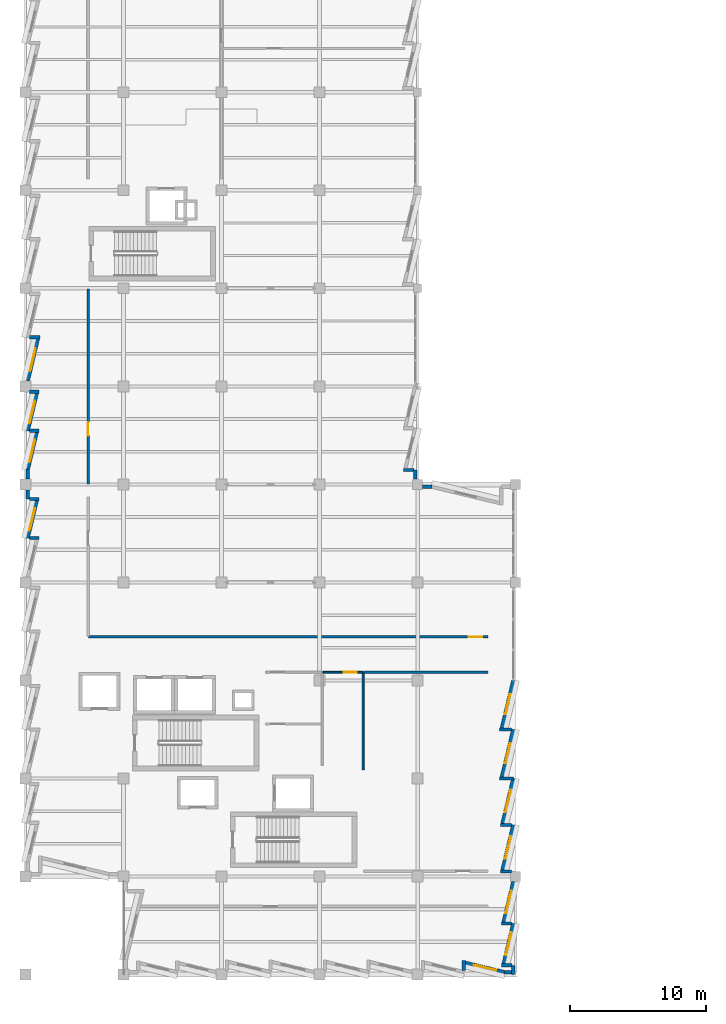
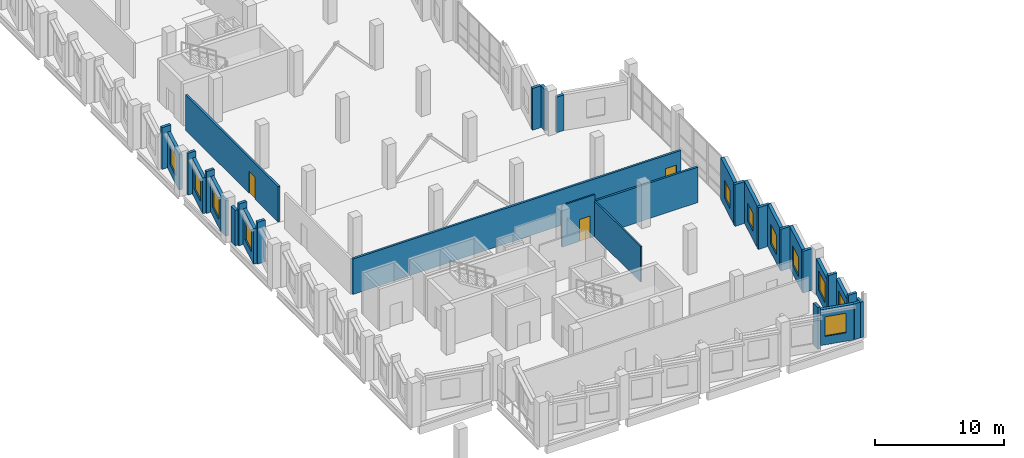
# One storey, part 68 of 94: 35 walls, 11 windows, 3 doors, 14 openings.
"""IFC4 building model written with IfcOpenShell, lengths in metres."""

import ifcopenshell
import ifcopenshell.guid

model = None  # the IFC model being written
_history = None  # IfcOwnerHistory: only IFC2X3 demands one
_inside = {}  # id of a spatial element -> (the spatial element, [elements in it])
_under = {}  # id of a project, library or spatial element -> (it, [spatial elements below it])
_declared = {}  # id of a project -> (the project, [libraries it declares])
_typed = {}  # id of a type object -> (the type object, [elements of that type])
_made_of = {}  # id of a material, layer set ... -> (it, [elements and type objects made of it])


def new_model(schema):
    """Start an empty IFC model of exactly this schema.

    Asked for "IFC4X3", IfcOpenShell would pick the latest addendum, in which some entities
    have other attributes; the version numbers below select the first issue.
    IFC2X3 requires an IfcOwnerHistory on every rooted entity: one is made here for all.
    """
    global model, _history
    if schema == "IFC4X3":
        model = ifcopenshell.file(schema_version=(4, 3, 0, 0))
    else:
        model = ifcopenshell.file(schema=schema)
    _inside.clear()
    _under.clear()
    _declared.clear()
    _typed.clear()
    _made_of.clear()
    _history = None
    if model.schema == "IFC2X3":
        org = make("IfcOrganization", Name="unknown")
        user = make(
            "IfcPersonAndOrganization",
            ThePerson=make("IfcPerson", FamilyName="unknown"),
            TheOrganization=org,
        )
        app = make(
            "IfcApplication",
            ApplicationDeveloper=org,
            Version="unknown",
            ApplicationFullName="unknown",
            ApplicationIdentifier="unknown",
        )
        _history = make(
            "IfcOwnerHistory",
            OwningUser=user,
            OwningApplication=app,
            ChangeAction="ADDED",
            CreationDate=0,
        )
    return model


def make(cls, **values):
    """One entity of the class cls with the attributes given. An attribute that is None is left unset."""
    return model.create_entity(
        cls, **{name: value for name, value in values.items() if value is not None}
    )


def rooted(cls, **values):
    """An entity with a GlobalId (a new one), such as an element, a storey or a relation."""
    return make(cls, GlobalId=ifcopenshell.guid.new(), OwnerHistory=_history, **values)


def si_unit(unit_type, name, prefix=None):
    """IfcSIUnit, for example si_unit("LENGTHUNIT", "METRE", prefix="MILLI")."""
    return make("IfcSIUnit", UnitType=unit_type, Prefix=prefix, Name=name)


def assignment(units):
    """IfcUnitAssignment: the units of a project."""
    return None if units is None else make("IfcUnitAssignment", Units=units)


def point(xyz):
    """IfcCartesianPoint."""
    return None if xyz is None else make("IfcCartesianPoint", Coordinates=xyz)


def direction(xyz):
    """IfcDirection."""
    return None if xyz is None else make("IfcDirection", DirectionRatios=xyz)


def frame(location, z_axis=None, x_axis=None):
    """IfcAxis2Placement3D, a coordinate frame: its origin and axes. An axis left out is left unset."""
    return make(
        "IfcAxis2Placement3D",
        Location=point(location),
        Axis=direction(z_axis),
        RefDirection=direction(x_axis),
    )


def frame_2d(location, x_axis=None):
    """IfcAxis2Placement2D, a coordinate frame in the plane: its origin and x axis."""
    return make(
        "IfcAxis2Placement2D", Location=point(location), RefDirection=direction(x_axis)
    )


def origin():
    """The frame at (0, 0, 0) with its axes left unset."""
    return frame((0.0, 0.0, 0.0))


def place(relative_to, where):
    """IfcLocalPlacement: puts the frame where relative to a parent placement (None: the world)."""
    return make(
        "IfcLocalPlacement", PlacementRelTo=relative_to, RelativePlacement=where
    )


def context(
    kind, dimensions, precision=None, world=None, true_north=None, identifier=None
):
    """IfcGeometricRepresentationContext, for example the 3D "Model" context."""
    return make(
        "IfcGeometricRepresentationContext",
        ContextIdentifier=identifier,
        ContextType=kind,
        CoordinateSpaceDimension=dimensions,
        Precision=precision,
        WorldCoordinateSystem=world,
        TrueNorth=true_north,
    )


def subcontext(parent, identifier, kind, view, scale=None):
    """IfcGeometricRepresentationSubContext, for example "Body" below "Model"."""
    return make(
        "IfcGeometricRepresentationSubContext",
        ContextIdentifier=identifier,
        ContextType=kind,
        ParentContext=parent,
        TargetScale=scale,
        TargetView=view,
    )


def project(units=None, contexts=None):
    """IfcProject with its units and contexts."""
    return rooted(
        "IfcProject",
        Name="project",
        RepresentationContexts=contexts,
        UnitsInContext=assignment(units),
    )


def spatial(cls, under=None, at=None, **own):
    """A site, building, storey or space (cls), placed at a placement, below another one or the project."""
    s = rooted(cls, ObjectPlacement=at, **own)
    if under is not None:
        _under.setdefault(under.id(), (under, []))[1].append(s)
    return s


def profile(cls, at=None, kind="AREA", **sizes):
    """A parametric profile (cls). Its sizes go by their IFC names, for example OverallWidth=200.0."""
    return make(cls, ProfileType=kind, Position=at, **sizes)


def rectangle(**sizes):
    """IfcRectangleProfileDef."""
    return profile("IfcRectangleProfileDef", **sizes)


def extrude(swept, where, along, depth):
    """IfcExtrudedAreaSolid: the profile swept, set in the frame where, extruded along a direction by depth."""
    return make(
        "IfcExtrudedAreaSolid",
        SweptArea=swept,
        Position=where,
        ExtrudedDirection=direction(along),
        Depth=depth,
    )


def shape(context_of_items, identifier, shape_type, items):
    """IfcShapeRepresentation: the items that make up one representation, for example the "Body"."""
    return make(
        "IfcShapeRepresentation",
        ContextOfItems=context_of_items,
        RepresentationIdentifier=identifier,
        RepresentationType=shape_type,
        Items=items,
    )


def material(Name=None, Category=None):
    """IfcMaterial."""
    return make("IfcMaterial", Name=Name, Category=Category)


def layer(
    of_material, thickness, ventilated=None, Name=None, Category=None, Priority=None
):
    """IfcMaterialLayer: one layer of a wall or slab, of a material (None: an air gap)."""
    return make(
        "IfcMaterialLayer",
        Material=of_material,
        LayerThickness=thickness,
        IsVentilated=ventilated,
        Name=Name,
        Category=Category,
        Priority=Priority,
    )


def layer_set(layers, Name=None):
    """IfcMaterialLayerSet."""
    return make("IfcMaterialLayerSet", MaterialLayers=layers, LayerSetName=Name)


def made_of(thing, what):
    """Note that an element or type object is made of a material, layer set ...; save() writes the relation."""
    if what is not None:
        _made_of.setdefault(what.id(), (what, []))[1].append(thing)
    return thing


def type_object(cls, material=None, **own):
    """A type object (cls), such as IfcWallType, which elements share."""
    return made_of(rooted(cls, **own), material)


def element(
    cls,
    number,
    at=None,
    inside=None,
    cuts=None,
    type_object=None,
    material=None,
    context=None,
    identifier="Body",
    shape_type=None,
    held_by="IfcProductDefinitionShape",
    body=None,
    shapes=None,
    **own,
):
    """One element of the class cls, such as IfcWall. Its Tag is "e" and its number.

    at: its placement. inside: the storey or other place that contains it. cuts: it is an
    opening in that element (IfcRelVoidsElement). A single representation is given by context,
    identifier, shape_type and body (its items); several are given by shapes. held_by: the class
    of the entity that holds the representations. save() writes the other relations.
    """
    e = rooted(cls, Tag="e%d" % number, ObjectPlacement=at, **own)
    if body is not None:
        shapes = [shape(context, identifier, shape_type, body)]
    if shapes is not None:
        e.Representation = make(held_by, Representations=shapes)
    if inside is not None:
        _inside.setdefault(inside.id(), (inside, []))[1].append(e)
    if cuts is not None:
        rooted(
            "IfcRelVoidsElement", RelatingBuildingElement=cuts, RelatedOpeningElement=e
        )
    if type_object is not None:
        _typed.setdefault(type_object.id(), (type_object, []))[1].append(e)
    return made_of(e, material)


def fill(opening, filler):
    """IfcRelFillsElement: the door or window that sits in an opening."""
    return rooted(
        "IfcRelFillsElement",
        RelatingOpeningElement=opening,
        RelatedBuildingElement=filler,
    )


def aggregate(whole, parts):
    """IfcRelAggregates: a whole, such as a stair, and the parts it consists of."""
    return rooted("IfcRelAggregates", RelatingObject=whole, RelatedObjects=parts)


def save(model, path):
    """Write the relations noted so far, then the file.

    IfcRelAggregates (storeys below a building ...), IfcRelContainedInSpatialStructure (elements
    in a storey), IfcRelDefinesByType, IfcRelAssociatesMaterial and IfcRelDeclares: one each for
    every whole, place, type object, material and project.
    """
    for whole, parts in _under.values():
        aggregate(whole, parts)
    for where, things in _inside.values():
        rooted(
            "IfcRelContainedInSpatialStructure",
            RelatedElements=things,
            RelatingStructure=where,
        )
    for kind, things in _typed.values():
        rooted("IfcRelDefinesByType", RelatedObjects=things, RelatingType=kind)
    for what, things in _made_of.values():
        rooted("IfcRelAssociatesMaterial", RelatedObjects=things, RelatingMaterial=what)
    for by, libraries in _declared.values():
        rooted("IfcRelDeclares", RelatingContext=by, RelatedDefinitions=libraries)
    model.write(path)


model = new_model("IFC4")

# Units and contexts
model_context = context("Model", 3, precision=1e-05, world=origin(), true_north=direction((0.0, 1.0)))
body_context = subcontext(model_context, "Body", "Model", "MODEL_VIEW")
ifc_project = project(units=[si_unit("LENGTHUNIT", "METRE"), si_unit("AREAUNIT", "SQUARE_METRE"), si_unit("VOLUMEUNIT", "CUBIC_METRE"), si_unit("PLANEANGLEUNIT", "RADIAN"), si_unit("MASSUNIT", "GRAM", prefix="KILO")], contexts=[model_context])

# Site, building, storey
site_placement = place(None, origin())
site = spatial("IfcSite", under=ifc_project, at=site_placement, CompositionType="ELEMENT")
building_placement = place(site_placement, origin())
building = spatial("IfcBuilding", under=site, at=building_placement, Name="Kalmorath City Hall", CompositionType="ELEMENT")
storey_placement = place(building_placement, frame((0.0, 0.0, 14.699951171875)))
storey = spatial("IfcBuildingStorey", under=building, at=storey_placement, Name="L03", CompositionType="ELEMENT", Elevation=14.699951171875)

# Wall, opening, door
ifc_material_1 = material(Name="Fire-rated acoustic gypsum partition")
ifc_layer_1 = layer(ifc_material_1, 0.179931640625)
ifc_layer_set_1 = layer_set([ifc_layer_1], Name="Fire-rated acoustic gypsum partition")
wall_type_1 = type_object("IfcWallType", Name="One-hour corridor fire partition 180", PredefinedType="PARTITIONING", material=ifc_layer_set_1)
wall_1_placement = place(storey_placement, frame((4.60009765625, 36.0400390625, 0.0), z_axis=(0.0, 0.0, 1.0), x_axis=(0.0, 1.0, 0.0)))
wall_1 = element("IfcWall", 1, at=wall_1_placement, inside=storey, type_object=wall_type_1, Name="L03 interior partition PW2 #130", PredefinedType="PARTITIONING", context=body_context, shape_type="SweptSolid", body=[
    extrude(rectangle(XDim=14.320068359375, YDim=0.179931640625, at=frame_2d((7.16015625, 0.0))), origin(), (0.0, 0.0, 1.0), 3.35205078125),
])
opening_1_placement = place(wall_1_placement, frame((3.544921875, 0.0, 0.0)))
opening_1 = element("IfcOpeningElement", 2, at=opening_1_placement, cuts=wall_1, Name="Opening D-L03-223", PredefinedType="OPENING", context=body_context, shape_type="SweptSolid", body=[
    extrude(rectangle(XDim=0.97998046875, YDim=2.10009765625, at=frame_2d((0.489990234375, 1.050048828125))), frame((0.0, 0.099853515625, 0.0), z_axis=(0.0, -1.0, 0.0), x_axis=(1.0, 0.0, 0.0)), (0.0, 0.0, 1.0), 0.199951171875),
])
ifc_material_2 = material(Name="Hardwood veneer door", Category="wood")
door_type_1 = type_object("IfcDoorType", Name="Municipal suite single door 980x2100", OperationType="NOTDEFINED", PredefinedType="DOOR", material=ifc_material_2)
door_1_placement = place(opening_1_placement, origin())
door_1 = element("IfcDoor", 3, at=door_1_placement, inside=storey, type_object=door_type_1, Name="L03 door D-L03-223", OperationType="SINGLE_SWING_LEFT", OverallHeight=2.10009765625, OverallWidth=0.97998046875, PredefinedType="DOOR", context=body_context, shape_type="SweptSolid", body=[
    extrude(rectangle(XDim=0.97998046875, YDim=2.10009765625, at=frame_2d((0.489990234375, 1.050048828125))), frame((0.0, 0.02490234375, 0.0), z_axis=(0.0, -1.0, 0.0), x_axis=(1.0, 0.0, 0.0)), (0.0, 0.0, 1.0), 0.050048828125),
])
fill(opening_1, door_1)

# Wall
wall_2_placement = place(storey_placement, frame((24.840087890625, 22.199951171875, 0.0), z_axis=(0.0, 0.0, 1.0), x_axis=(1.0, 0.0, 0.0)))
element("IfcWall", 4, at=wall_2_placement, inside=storey, type_object=wall_type_1, Name="L03 interior partition PW2 #133", PredefinedType="PARTITIONING", context=body_context, shape_type="SweptSolid", body=[
    extrude(rectangle(XDim=9.119873046875, YDim=0.179931640625, at=frame_2d((4.56005859375, 0.0))), origin(), (0.0, 0.0, 1.0), 3.35205078125),
])

# Wall, opening, door
wall_3_placement = place(storey_placement, frame((4.639892578125, 24.800048828125, 0.0), z_axis=(0.0, 0.0, 1.0), x_axis=(1.0, 0.0, 0.0)))
wall_3 = element("IfcWall", 5, at=wall_3_placement, inside=storey, type_object=wall_type_1, Name="L03 interior partition PW2 #134", PredefinedType="PARTITIONING", context=body_context, shape_type="SweptSolid", body=[
    extrude(rectangle(XDim=29.320068359375, YDim=0.179931640625, at=frame_2d((14.66015625, 0.0))), origin(), (0.0, 0.0, 1.0), 3.35205078125),
])
opening_2_placement = place(wall_3_placement, frame((27.919921875, 0.0, 0.0)))
opening_2 = element("IfcOpeningElement", 6, at=opening_2_placement, cuts=wall_3, Name="Opening D-L03-221", PredefinedType="OPENING", context=body_context, shape_type="SweptSolid", body=[
    extrude(rectangle(XDim=0.97998046875, YDim=2.10009765625, at=frame_2d((0.489990234375, 1.050048828125))), frame((0.0, 0.099853515625, 0.0), z_axis=(0.0, -1.0, 0.0), x_axis=(1.0, 0.0, 0.0)), (0.0, 0.0, 1.0), 0.199951171875),
])
door_2_placement = place(opening_2_placement, origin())
door_2 = element("IfcDoor", 7, at=door_2_placement, inside=storey, type_object=door_type_1, Name="L03 door D-L03-221", OperationType="SINGLE_SWING_LEFT", OverallHeight=2.10009765625, OverallWidth=0.97998046875, PredefinedType="DOOR", context=body_context, shape_type="SweptSolid", body=[
    extrude(rectangle(XDim=0.97998046875, YDim=2.10009765625, at=frame_2d((0.489990234375, 1.050048828125))), frame((0.0, 0.02490234375, 0.0), z_axis=(0.0, -1.0, 0.0), x_axis=(1.0, 0.0, 0.0)), (0.0, 0.0, 1.0), 0.050048828125),
])
fill(opening_2, door_2)

# Walls
ifc_material_3 = material(Name="Precast concrete C40/50", Category="concrete")
ifc_layer_2 = layer(ifc_material_3, 0.239990234375)
ifc_layer_set_2 = layer_set([ifc_layer_2], Name="Precast concrete C40/50")
wall_type_2 = type_object("IfcWallType", Name="Precast sawtooth cheek wall 240", PredefinedType="SOLIDWALL", material=ifc_layer_set_2)
wall_4_placement = place(storey_placement, frame((0.991455078125, 32.06005859375, 0.0), z_axis=(0.0, 0.0, 1.0), x_axis=(-1.0, 0.0, 0.0)))
element("IfcWall", 8, at=wall_4_placement, inside=storey, type_object=wall_type_2, Name="L03 sawtooth return cheek #546", PredefinedType="SOLIDWALL", context=body_context, shape_type="SweptSolid", body=[
    extrude(rectangle(XDim=0.699462890625, YDim=0.239990234375, at=frame_2d((0.349609375, 0.0))), origin(), (0.0, 0.0, 1.0), 3.949951171875),
])
wall_5_placement = place(storey_placement, frame((0.991455078125, 34.9189453125, 0.0), z_axis=(0.0, 0.0, 1.0), x_axis=(-1.0, 0.0, 0.0)))
element("IfcWall", 9, at=wall_5_placement, inside=storey, type_object=wall_type_2, Name="L03 sawtooth return cheek #548", PredefinedType="SOLIDWALL", context=body_context, shape_type="SweptSolid", body=[
    extrude(rectangle(XDim=0.70947265625, YDim=0.239990234375, at=frame_2d((0.354736328125, 0.0))), origin(), (0.0, 0.0, 1.0), 3.949951171875),
])
for number, where, z_axis, x_axis, name in (
    (10, (0.991455078125, 39.93994140625, 0.0), (0.0, 0.0, 1.0), (-1.0, 0.0, 0.0), "L03 sawtooth return cheek #551"),
    (11, (0.991455078125, 42.799072265625, 0.0), (0.0, 0.0, 1.0), (-1.0, 0.0, 0.0), "L03 sawtooth return cheek #553"),
):
    element("IfcWall", number, at=place(storey_placement, frame(where, z_axis=z_axis, x_axis=x_axis)), inside=storey, type_object=wall_type_2, Name=name, PredefinedType="SOLIDWALL", context=body_context, shape_type="SweptSolid", body=[
        extrude(rectangle(XDim=0.699462890625, YDim=0.239990234375, at=frame_2d((0.349609375, 0.0))), origin(), (0.0, 0.0, 1.0), 3.949951171875),
    ])
wall_6_placement = place(storey_placement, frame((1.072998046875, 46.800048828125, 0.0), z_axis=(0.0, 0.0, 1.0), x_axis=(-1.0, 0.0, 0.0)))
element("IfcWall", 12, at=wall_6_placement, inside=storey, type_object=wall_type_2, Name="L03 sawtooth return cheek #555", PredefinedType="SOLIDWALL", context=body_context, shape_type="SweptSolid", body=[
    extrude(rectangle(XDim=0.781005859375, YDim=0.239990234375, at=frame_2d((0.390625, 0.0))), origin(), (0.0, 0.0, 1.0), 3.949951171875),
])
wall_7_placement = place(storey_placement, frame((27.757568359375, 37.055908203125, 0.0), z_axis=(0.0, 0.0, 1.0), x_axis=(1.0, 0.0, 0.0)))
element("IfcWall", 13, at=wall_7_placement, inside=storey, type_object=wall_type_2, Name="L03 sawtooth return cheek #650", PredefinedType="SOLIDWALL", context=body_context, shape_type="SweptSolid", body=[
    extrude(rectangle(XDim=0.760498046875, YDim=0.239990234375, at=frame_2d((0.38037109375, 0.0))), origin(), (0.0, 0.0, 1.0), 3.949951171875),
])
wall_8_placement = place(storey_placement, frame((34.830810546875, 18.0, 0.0), z_axis=(0.0, 0.0, 1.0), x_axis=(1.0, 0.0, 0.0)))
element("IfcWall", 14, at=wall_8_placement, inside=storey, type_object=wall_type_2, Name="L03 sawtooth return cheek #656", PredefinedType="SOLIDWALL", context=body_context, shape_type="SweptSolid", body=[
    extrude(rectangle(XDim=0.877197265625, YDim=0.239990234375, at=frame_2d((0.4384765625, 0.0))), origin(), (0.0, 0.0, 1.0), 3.949951171875),
])
wall_9_placement = place(storey_placement, frame((34.830810546875, 14.39990234375, 0.0), z_axis=(0.0, 0.0, 1.0), x_axis=(1.0, 0.0, 0.0)))
element("IfcWall", 15, at=wall_9_placement, inside=storey, type_object=wall_type_2, Name="L03 sawtooth return cheek #658", PredefinedType="SOLIDWALL", context=body_context, shape_type="SweptSolid", body=[
    extrude(rectangle(XDim=1.019287109375, YDim=0.239990234375, at=frame_2d((0.509765625, 0.0))), origin(), (0.0, 0.0, 1.0), 3.949951171875),
])
for number, where, z_axis, x_axis, name in (
    (16, (34.8759765625, 10.988037109375, 0.0), (0.0, 0.0, 1.0), (1.0, 0.0, 0.0), "L03 sawtooth return cheek #660"),
    (17, (34.8759765625, 7.575927734375, 0.0), (0.0, 0.0, 1.0), (1.0, 0.0, 0.0), "L03 sawtooth return cheek #662"),
):
    element("IfcWall", number, at=place(storey_placement, frame(where, z_axis=z_axis, x_axis=x_axis)), inside=storey, type_object=wall_type_2, Name=name, PredefinedType="SOLIDWALL", context=body_context, shape_type="SweptSolid", body=[
        extrude(rectangle(XDim=0.83203125, YDim=0.239990234375, at=frame_2d((0.416015625, 0.0))), origin(), (0.0, 0.0, 1.0), 3.949951171875),
    ])
wall_10_placement = place(storey_placement, frame((34.95751953125, 3.751953125, 0.0), z_axis=(0.0, 0.0, 1.0), x_axis=(1.0, 0.0, 0.0)))
element("IfcWall", 18, at=wall_10_placement, inside=storey, type_object=wall_type_2, Name="L03 sawtooth return cheek #665", PredefinedType="SOLIDWALL", context=body_context, shape_type="SweptSolid", body=[
    extrude(rectangle(XDim=0.75048828125, YDim=0.239990234375, at=frame_2d((0.375244140625, 0.0))), origin(), (0.0, 0.0, 1.0), 3.949951171875),
])
wall_11_placement = place(storey_placement, frame((34.95751953125, 0.679931640625, 0.0), z_axis=(0.0, 0.0, 1.0), x_axis=(1.0, 0.0, 0.0)))
element("IfcWall", 19, at=wall_11_placement, inside=storey, type_object=wall_type_2, Name="L03 sawtooth return cheek #667", PredefinedType="SOLIDWALL", context=body_context, shape_type="SweptSolid", body=[
    extrude(rectangle(XDim=0.760498046875, YDim=0.239990234375, at=frame_2d((0.38037109375, 0.0))), origin(), (0.0, 0.0, 1.0), 3.949951171875),
])
wall_12_placement = place(storey_placement, frame((32.196533203125, 1.024169921875, 0.0), z_axis=(0.0, 0.0, 1.0), x_axis=(0.0, -1.0, 0.0)))
element("IfcWall", 20, at=wall_12_placement, inside=storey, type_object=wall_type_2, Name="L03 sawtooth return cheek #670", PredefinedType="SOLIDWALL", context=body_context, shape_type="SweptSolid", body=[
    extrude(rectangle(XDim=0.732177734375, YDim=0.239990234375, at=frame_2d((0.3662109375, 0.0))), origin(), (0.0, 0.0, 1.0), 3.949951171875),
])

# Wall, opening, window
ifc_material_4 = material(Name="Precast concrete C40/50", Category="concrete")
ifc_layer_3 = layer(ifc_material_4, 0.280029296875)
ifc_layer_set_3 = layer_set([ifc_layer_3], Name="Precast concrete C40/50")
wall_type_3 = type_object("IfcWallType", Name="Precast sawtooth facade wall 280", PredefinedType="SOLIDWALL", material=ifc_layer_set_3)
wall_13_placement = place(storey_placement, frame((0.159912109375, 32.06005859375, 0.0), z_axis=(0.0, 0.0, 1.0), x_axis=(0.233480047176, 0.972361593015, 0.0)))
wall_13 = element("IfcWall", 21, at=wall_13_placement, inside=storey, type_object=wall_type_3, Name="L03 sawtooth precast frame #547", PredefinedType="SOLIDWALL", context=body_context, shape_type="SweptSolid", body=[
    extrude(rectangle(XDim=2.84521484375, YDim=0.280029296875, at=frame_2d((1.422607421875, 0.0))), origin(), (0.0, 0.0, 1.0), 3.365966796875),
])
opening_3_placement = place(wall_13_placement, frame((0.572509765625, 0.0, 0.800048828125)))
opening_3 = element("IfcOpeningElement", 22, at=opening_3_placement, cuts=wall_13, Name="Opening WN6", PredefinedType="OPENING", context=body_context, shape_type="SweptSolid", body=[
    extrude(rectangle(XDim=1.699951171875, YDim=1.85009765625, at=frame_2d((0.85009765625, 0.925048828125))), frame((0.0, 0.14990234375, 0.0), z_axis=(0.0, -1.0, 0.0), x_axis=(1.0, 0.0, 0.0)), (0.0, 0.0, 1.0), 0.300048828125),
])
ifc_material_5 = material(Name="Aluminium and laminated glass", Category="aluminium")
window_type_1 = type_object("IfcWindowType", Name="Sawtooth west wing window 1700x1850", PartitioningType="SINGLE_PANEL", PredefinedType="WINDOW", material=ifc_material_5)
window_1_placement = place(opening_3_placement, origin())
window_1 = element("IfcWindow", 23, at=window_1_placement, inside=storey, type_object=window_type_1, Name="L03 window WN6-284", OverallHeight=1.85009765625, OverallWidth=1.699951171875, PartitioningType="SINGLE_PANEL", PredefinedType="WINDOW", context=body_context, shape_type="SweptSolid", body=[
    extrude(rectangle(XDim=1.699951171875, YDim=1.85009765625, at=frame_2d((0.85009765625, 0.925048828125))), frame((0.0, 0.030029296875, 0.0), z_axis=(0.0, -1.0, 0.0), x_axis=(1.0, 0.0, 0.0)), (0.0, 0.0, 1.0), 0.06005859375),
])
fill(opening_3, window_1)

wall_14_placement = place(storey_placement, frame((0.159912109375, 37.0810546875, 0.0), z_axis=(0.0, 0.0, 1.0), x_axis=(0.233480047176, 0.972361593015, 0.0)))
wall_14 = element("IfcWall", 24, at=wall_14_placement, inside=storey, type_object=wall_type_3, Name="L03 sawtooth precast frame #550", PredefinedType="SOLIDWALL", context=body_context, shape_type="SweptSolid", body=[
    extrude(rectangle(XDim=2.84521484375, YDim=0.280029296875, at=frame_2d((1.422607421875, 0.0))), origin(), (0.0, 0.0, 1.0), 3.365966796875),
])
opening_4_placement = place(wall_14_placement, frame((0.572509765625, 0.0, 0.800048828125)))
opening_4 = element("IfcOpeningElement", 25, at=opening_4_placement, cuts=wall_14, Name="Opening WN6", PredefinedType="OPENING", context=body_context, shape_type="SweptSolid", body=[
    extrude(rectangle(XDim=1.699951171875, YDim=1.85009765625, at=frame_2d((0.85009765625, 0.925048828125))), frame((0.0, 0.14990234375, 0.0), z_axis=(0.0, -1.0, 0.0), x_axis=(1.0, 0.0, 0.0)), (0.0, 0.0, 1.0), 0.300048828125),
])
window_2_placement = place(opening_4_placement, origin())
window_2 = element("IfcWindow", 26, at=window_2_placement, inside=storey, type_object=window_type_1, Name="L03 window WN6-285", OverallHeight=1.85009765625, OverallWidth=1.699951171875, PartitioningType="SINGLE_PANEL", PredefinedType="WINDOW", context=body_context, shape_type="SweptSolid", body=[
    extrude(rectangle(XDim=1.699951171875, YDim=1.85009765625, at=frame_2d((0.85009765625, 0.925048828125))), frame((0.0, 0.030029296875, 0.0), z_axis=(0.0, -1.0, 0.0), x_axis=(1.0, 0.0, 0.0)), (0.0, 0.0, 1.0), 0.06005859375),
])
fill(opening_4, window_2)

wall_15_placement = place(storey_placement, frame((0.159912109375, 39.93994140625, 0.0), z_axis=(0.0, 0.0, 1.0), x_axis=(0.233480047176, 0.972361593015, 0.0)))
wall_15 = element("IfcWall", 27, at=wall_15_placement, inside=storey, type_object=wall_type_3, Name="L03 sawtooth precast frame #552", PredefinedType="SOLIDWALL", context=body_context, shape_type="SweptSolid", body=[
    extrude(rectangle(XDim=2.84521484375, YDim=0.280029296875, at=frame_2d((1.422607421875, 0.0))), origin(), (0.0, 0.0, 1.0), 3.365966796875),
])
opening_5_placement = place(wall_15_placement, frame((0.572509765625, 0.0, 0.800048828125)))
opening_5 = element("IfcOpeningElement", 28, at=opening_5_placement, cuts=wall_15, Name="Opening WN6", PredefinedType="OPENING", context=body_context, shape_type="SweptSolid", body=[
    extrude(rectangle(XDim=1.699951171875, YDim=1.85009765625, at=frame_2d((0.85009765625, 0.925048828125))), frame((0.0, 0.14990234375, 0.0), z_axis=(0.0, -1.0, 0.0), x_axis=(1.0, 0.0, 0.0)), (0.0, 0.0, 1.0), 0.300048828125),
])
window_3_placement = place(opening_5_placement, origin())
window_3 = element("IfcWindow", 29, at=window_3_placement, inside=storey, type_object=window_type_1, Name="L03 window WN6-286", OverallHeight=1.85009765625, OverallWidth=1.699951171875, PartitioningType="SINGLE_PANEL", PredefinedType="WINDOW", context=body_context, shape_type="SweptSolid", body=[
    extrude(rectangle(XDim=1.699951171875, YDim=1.85009765625, at=frame_2d((0.85009765625, 0.925048828125))), frame((0.0, 0.030029296875, 0.0), z_axis=(0.0, -1.0, 0.0), x_axis=(1.0, 0.0, 0.0)), (0.0, 0.0, 1.0), 0.06005859375),
])
fill(opening_5, window_3)

wall_16_placement = place(storey_placement, frame((0.159912109375, 43.60107421875, 0.0), z_axis=(0.0, 0.0, 1.0), x_axis=(0.233462551123, 0.972365793939, 0.0)))
wall_16 = element("IfcWall", 30, at=wall_16_placement, inside=storey, type_object=wall_type_3, Name="L03 sawtooth precast frame #554", PredefinedType="SOLIDWALL", context=body_context, shape_type="SweptSolid", body=[
    extrude(rectangle(XDim=3.19482421875, YDim=0.280029296875, at=frame_2d((1.597412109375, 0.0))), origin(), (0.0, 0.0, 1.0), 3.365966796875),
])
opening_6_placement = place(wall_16_placement, frame((0.747314453125, 0.0, 0.800048828125)))
opening_6 = element("IfcOpeningElement", 31, at=opening_6_placement, cuts=wall_16, Name="Opening WN6", PredefinedType="OPENING", context=body_context, shape_type="SweptSolid", body=[
    extrude(rectangle(XDim=1.699951171875, YDim=1.85009765625, at=frame_2d((0.85009765625, 0.925048828125))), frame((0.0, 0.14990234375, 0.0), z_axis=(0.0, -1.0, 0.0), x_axis=(1.0, 0.0, 0.0)), (0.0, 0.0, 1.0), 0.300048828125),
])
window_4_placement = place(opening_6_placement, origin())
window_4 = element("IfcWindow", 32, at=window_4_placement, inside=storey, type_object=window_type_1, Name="L03 window WN6-287", OverallHeight=1.85009765625, OverallWidth=1.699951171875, PartitioningType="SINGLE_PANEL", PredefinedType="WINDOW", context=body_context, shape_type="SweptSolid", body=[
    extrude(rectangle(XDim=1.699951171875, YDim=1.85009765625, at=frame_2d((0.85009765625, 0.925048828125))), frame((0.0, 0.030029296875, 0.0), z_axis=(0.0, -1.0, 0.0), x_axis=(1.0, 0.0, 0.0)), (0.0, 0.0, 1.0), 0.06005859375),
])
fill(opening_6, window_4)

wall_17_placement = place(storey_placement, frame((35.840087890625, 21.60009765625, 0.0), z_axis=(0.0, 0.0, 1.0), x_axis=(-0.233480453725, -0.972361495396, 0.0)))
wall_17 = element("IfcWall", 33, at=wall_17_placement, inside=storey, type_object=wall_type_3, Name="L03 sawtooth precast frame #655", PredefinedType="SOLIDWALL", context=body_context, shape_type="SweptSolid", body=[
    extrude(rectangle(XDim=3.607421875, YDim=0.280029296875, at=frame_2d((1.8037109375, 0.0))), origin(), (0.0, 0.0, 1.0), 3.949951171875),
])
opening_7_placement = place(wall_17_placement, frame((1.0537109375, 0.0, 0.800048828125)))
opening_7 = element("IfcOpeningElement", 34, at=opening_7_placement, cuts=wall_17, Name="Opening WN7", PredefinedType="OPENING", context=body_context, shape_type="SweptSolid", body=[
    extrude(rectangle(XDim=1.5, YDim=1.699951171875, at=frame_2d((0.75, 0.85009765625))), frame((0.0, 0.14990234375, 0.0), z_axis=(0.0, -1.0, 0.0), x_axis=(1.0, 0.0, 0.0)), (0.0, 0.0, 1.0), 0.300048828125),
])
ifc_material_6 = material(Name="Aluminium and laminated glass", Category="aluminium")
window_type_2 = type_object("IfcWindowType", Name="Sawtooth top storey window 1500x1700", PartitioningType="SINGLE_PANEL", PredefinedType="WINDOW", material=ifc_material_6)
window_5_placement = place(opening_7_placement, origin())
window_5 = element("IfcWindow", 35, at=window_5_placement, inside=storey, type_object=window_type_2, Name="L03 window WN7-345", OverallHeight=1.699951171875, OverallWidth=1.5, PartitioningType="SINGLE_PANEL", PredefinedType="WINDOW", context=body_context, shape_type="SweptSolid", body=[
    extrude(rectangle(XDim=1.5, YDim=1.699951171875, at=frame_2d((0.75, 0.85009765625))), frame((0.0, 0.030029296875, 0.0), z_axis=(0.0, -1.0, 0.0), x_axis=(1.0, 0.0, 0.0)), (0.0, 0.0, 1.0), 0.06005859375),
])
fill(opening_7, window_5)

wall_18_placement = place(storey_placement, frame((35.840087890625, 18.0, 0.0), z_axis=(0.0, 0.0, 1.0), x_axis=(-0.233495818898, -0.972357805829, 0.0)))
wall_18 = element("IfcWall", 36, at=wall_18_placement, inside=storey, type_object=wall_type_3, Name="L03 sawtooth precast frame #657", PredefinedType="SOLIDWALL", context=body_context, shape_type="SweptSolid", body=[
    extrude(rectangle(XDim=3.607177734375, YDim=0.280029296875, at=frame_2d((1.8037109375, 0.0))), origin(), (0.0, 0.0, 1.0), 3.949951171875),
])
opening_8_placement = place(wall_18_placement, frame((1.0537109375, 0.0, 0.800048828125)))
opening_8 = element("IfcOpeningElement", 37, at=opening_8_placement, cuts=wall_18, Name="Opening WN7", PredefinedType="OPENING", context=body_context, shape_type="SweptSolid", body=[
    extrude(rectangle(XDim=1.5, YDim=1.699951171875, at=frame_2d((0.75, 0.85009765625))), frame((0.0, 0.14990234375, 0.0), z_axis=(0.0, -1.0, 0.0), x_axis=(1.0, 0.0, 0.0)), (0.0, 0.0, 1.0), 0.300048828125),
])
window_6_placement = place(opening_8_placement, origin())
window_6 = element("IfcWindow", 38, at=window_6_placement, inside=storey, type_object=window_type_2, Name="L03 window WN7-346", OverallHeight=1.699951171875, OverallWidth=1.5, PartitioningType="SINGLE_PANEL", PredefinedType="WINDOW", context=body_context, shape_type="SweptSolid", body=[
    extrude(rectangle(XDim=1.5, YDim=1.699951171875, at=frame_2d((0.75, 0.85009765625))), frame((0.0, 0.030029296875, 0.0), z_axis=(0.0, -1.0, 0.0), x_axis=(1.0, 0.0, 0.0)), (0.0, 0.0, 1.0), 0.06005859375),
])
fill(opening_8, window_6)

wall_19_placement = place(storey_placement, frame((35.840087890625, 14.39990234375, 0.0), z_axis=(0.0, 0.0, 1.0), x_axis=(-0.23342163795, -0.972375616178, 0.0)))
wall_19 = element("IfcWall", 39, at=wall_19_placement, inside=storey, type_object=wall_type_3, Name="L03 sawtooth precast frame #659", PredefinedType="SOLIDWALL", context=body_context, shape_type="SweptSolid", body=[
    extrude(rectangle(XDim=3.413818359375, YDim=0.280029296875, at=frame_2d((1.70703125, 0.0))), origin(), (0.0, 0.0, 1.0), 3.949951171875),
])
opening_9_placement = place(wall_19_placement, frame((0.85693359375, 0.0, 0.800048828125)))
opening_9 = element("IfcOpeningElement", 40, at=opening_9_placement, cuts=wall_19, Name="Opening WN6", PredefinedType="OPENING", context=body_context, shape_type="SweptSolid", body=[
    extrude(rectangle(XDim=1.699951171875, YDim=1.85009765625, at=frame_2d((0.85009765625, 0.925048828125))), frame((0.0, 0.14990234375, 0.0), z_axis=(0.0, -1.0, 0.0), x_axis=(1.0, 0.0, 0.0)), (0.0, 0.0, 1.0), 0.300048828125),
])
window_7_placement = place(opening_9_placement, origin())
window_7 = element("IfcWindow", 41, at=window_7_placement, inside=storey, type_object=window_type_1, Name="L03 window WN6-347", OverallHeight=1.85009765625, OverallWidth=1.699951171875, PartitioningType="SINGLE_PANEL", PredefinedType="WINDOW", context=body_context, shape_type="SweptSolid", body=[
    extrude(rectangle(XDim=1.699951171875, YDim=1.85009765625, at=frame_2d((0.85009765625, 0.925048828125))), frame((0.0, 0.030029296875, 0.0), z_axis=(0.0, -1.0, 0.0), x_axis=(1.0, 0.0, 0.0)), (0.0, 0.0, 1.0), 0.06005859375),
])
fill(opening_9, window_7)

wall_20_placement = place(storey_placement, frame((35.840087890625, 10.988037109375, 0.0), z_axis=(0.0, 0.0, 1.0), x_axis=(-0.23342163795, -0.972375616178, 0.0)))
wall_20 = element("IfcWall", 42, at=wall_20_placement, inside=storey, type_object=wall_type_3, Name="L03 sawtooth precast frame #661", PredefinedType="SOLIDWALL", context=body_context, shape_type="SweptSolid", body=[
    extrude(rectangle(XDim=3.413818359375, YDim=0.280029296875, at=frame_2d((1.70703125, 0.0))), origin(), (0.0, 0.0, 1.0), 3.949951171875),
])
opening_10_placement = place(wall_20_placement, frame((0.85693359375, 0.0, 0.800048828125)))
opening_10 = element("IfcOpeningElement", 43, at=opening_10_placement, cuts=wall_20, Name="Opening WN6", PredefinedType="OPENING", context=body_context, shape_type="SweptSolid", body=[
    extrude(rectangle(XDim=1.699951171875, YDim=1.85009765625, at=frame_2d((0.85009765625, 0.925048828125))), frame((0.0, 0.14990234375, 0.0), z_axis=(0.0, -1.0, 0.0), x_axis=(1.0, 0.0, 0.0)), (0.0, 0.0, 1.0), 0.300048828125),
])
window_8_placement = place(opening_10_placement, origin())
window_8 = element("IfcWindow", 44, at=window_8_placement, inside=storey, type_object=window_type_1, Name="L03 window WN6-348", OverallHeight=1.85009765625, OverallWidth=1.699951171875, PartitioningType="SINGLE_PANEL", PredefinedType="WINDOW", context=body_context, shape_type="SweptSolid", body=[
    extrude(rectangle(XDim=1.699951171875, YDim=1.85009765625, at=frame_2d((0.85009765625, 0.925048828125))), frame((0.0, 0.030029296875, 0.0), z_axis=(0.0, -1.0, 0.0), x_axis=(1.0, 0.0, 0.0)), (0.0, 0.0, 1.0), 0.06005859375),
])
fill(opening_10, window_8)

wall_21_placement = place(storey_placement, frame((35.840087890625, 6.823974609375, 0.0), z_axis=(0.0, 0.0, 1.0), x_axis=(-0.233451302002, -0.972368494756, 0.0)))
wall_21 = element("IfcWall", 45, at=wall_21_placement, inside=storey, type_object=wall_type_3, Name="L03 sawtooth precast frame #664", PredefinedType="SOLIDWALL", context=body_context, shape_type="SweptSolid", body=[
    extrude(rectangle(XDim=3.064208984375, YDim=0.280029296875, at=frame_2d((1.5322265625, 0.0))), origin(), (0.0, 0.0, 1.0), 3.365966796875),
])
opening_11_placement = place(wall_21_placement, frame((0.68212890625, 0.0, 0.800048828125)))
opening_11 = element("IfcOpeningElement", 46, at=opening_11_placement, cuts=wall_21, Name="Opening WN6", PredefinedType="OPENING", context=body_context, shape_type="SweptSolid", body=[
    extrude(rectangle(XDim=1.699951171875, YDim=1.85009765625, at=frame_2d((0.85009765625, 0.925048828125))), frame((0.0, 0.14990234375, 0.0), z_axis=(0.0, -1.0, 0.0), x_axis=(1.0, 0.0, 0.0)), (0.0, 0.0, 1.0), 0.300048828125),
])
window_9_placement = place(opening_11_placement, origin())
window_9 = element("IfcWindow", 47, at=window_9_placement, inside=storey, type_object=window_type_1, Name="L03 window WN6-349", OverallHeight=1.85009765625, OverallWidth=1.699951171875, PartitioningType="SINGLE_PANEL", PredefinedType="WINDOW", context=body_context, shape_type="SweptSolid", body=[
    extrude(rectangle(XDim=1.699951171875, YDim=1.85009765625, at=frame_2d((0.85009765625, 0.925048828125))), frame((0.0, 0.030029296875, 0.0), z_axis=(0.0, -1.0, 0.0), x_axis=(1.0, 0.0, 0.0)), (0.0, 0.0, 1.0), 0.06005859375),
])
fill(opening_11, window_9)

wall_22_placement = place(storey_placement, frame((35.840087890625, 3.751953125, 0.0), z_axis=(0.0, 0.0, 1.0), x_axis=(-0.233451302002, -0.972368494756, 0.0)))
wall_22 = element("IfcWall", 48, at=wall_22_placement, inside=storey, type_object=wall_type_3, Name="L03 sawtooth precast frame #666", PredefinedType="SOLIDWALL", context=body_context, shape_type="SweptSolid", body=[
    extrude(rectangle(XDim=3.064208984375, YDim=0.280029296875, at=frame_2d((1.5322265625, 0.0))), origin(), (0.0, 0.0, 1.0), 3.365966796875),
])
opening_12_placement = place(wall_22_placement, frame((0.68212890625, 0.0, 0.800048828125)))
opening_12 = element("IfcOpeningElement", 49, at=opening_12_placement, cuts=wall_22, Name="Opening WN6", PredefinedType="OPENING", context=body_context, shape_type="SweptSolid", body=[
    extrude(rectangle(XDim=1.699951171875, YDim=1.85009765625, at=frame_2d((0.85009765625, 0.925048828125))), frame((0.0, 0.14990234375, 0.0), z_axis=(0.0, -1.0, 0.0), x_axis=(1.0, 0.0, 0.0)), (0.0, 0.0, 1.0), 0.300048828125),
])
window_10_placement = place(opening_12_placement, origin())
window_10 = element("IfcWindow", 50, at=window_10_placement, inside=storey, type_object=window_type_1, Name="L03 window WN6-350", OverallHeight=1.85009765625, OverallWidth=1.699951171875, PartitioningType="SINGLE_PANEL", PredefinedType="WINDOW", context=body_context, shape_type="SweptSolid", body=[
    extrude(rectangle(XDim=1.699951171875, YDim=1.85009765625, at=frame_2d((0.85009765625, 0.925048828125))), frame((0.0, 0.030029296875, 0.0), z_axis=(0.0, -1.0, 0.0), x_axis=(1.0, 0.0, 0.0)), (0.0, 0.0, 1.0), 0.06005859375),
])
fill(opening_12, window_10)

wall_23_placement = place(storey_placement, frame((35.19189453125, 0.159912109375, 0.0), z_axis=(0.0, 0.0, 1.0), x_axis=(-0.972365772055, 0.233462642269, 0.0)))
wall_23 = element("IfcWall", 51, at=wall_23_placement, inside=storey, type_object=wall_type_3, Name="L03 sawtooth precast frame #669", PredefinedType="SOLIDWALL", context=body_context, shape_type="SweptSolid", body=[
    extrude(rectangle(XDim=2.985595703125, YDim=0.280029296875, at=frame_2d((1.49267578125, 0.0))), origin(), (0.0, 0.0, 1.0), 3.365966796875),
])
opening_13_placement = place(wall_23_placement, frame((0.642822265625, 0.0, 0.800048828125)))
opening_13 = element("IfcOpeningElement", 52, at=opening_13_placement, cuts=wall_23, Name="Opening WN6", PredefinedType="OPENING", context=body_context, shape_type="SweptSolid", body=[
    extrude(rectangle(XDim=1.699951171875, YDim=1.85009765625, at=frame_2d((0.85009765625, 0.925048828125))), frame((0.0, 0.14990234375, 0.0), z_axis=(0.0, -1.0, 0.0), x_axis=(1.0, 0.0, 0.0)), (0.0, 0.0, 1.0), 0.300048828125),
])
window_11_placement = place(opening_13_placement, origin())
window_11 = element("IfcWindow", 53, at=window_11_placement, inside=storey, type_object=window_type_1, Name="L03 window WN6-351", OverallHeight=1.85009765625, OverallWidth=1.699951171875, PartitioningType="SINGLE_PANEL", PredefinedType="WINDOW", context=body_context, shape_type="SweptSolid", body=[
    extrude(rectangle(XDim=1.699951171875, YDim=1.85009765625, at=frame_2d((0.85009765625, 0.925048828125))), frame((0.0, 0.030029296875, 0.0), z_axis=(0.0, -1.0, 0.0), x_axis=(1.0, 0.0, 0.0)), (0.0, 0.0, 1.0), 0.06005859375),
])
fill(opening_13, window_11)

# Walls
ifc_material_7 = material(Name="Precast concrete C40/50", Category="concrete")
ifc_layer_4 = layer(ifc_material_7, 0.260009765625)
ifc_layer_set_4 = layer_set([ifc_layer_4], Name="Precast concrete C40/50")
wall_type_4 = type_object("IfcWallType", Name="Precast sawtooth return wall 260", PredefinedType="SOLIDWALL", material=ifc_layer_set_4)
for number, where, z_axis, x_axis, name in (
    (54, (0.159912109375, 34.9189453125, 0.0), (0.0, 0.0, 1.0), (0.0, 1.0, 0.0), "L03 corner pier wall #544"),
    (55, (0.159912109375, 36.40087890625, 0.0), (0.0, 0.0, 1.0), (0.0, 1.0, 0.0), "L03 corner pier wall #549"),
):
    element("IfcWall", number, at=place(storey_placement, frame(where, z_axis=z_axis, x_axis=x_axis)), inside=storey, type_object=wall_type_4, Name=name, PredefinedType="SOLIDWALL", context=body_context, shape_type="SweptSolid", body=[
        extrude(rectangle(XDim=0.68017578125, YDim=0.260009765625, at=frame_2d((0.340087890625, 0.0))), origin(), (0.0, 0.0, 1.0), 3.365966796875),
    ])
wall_24_placement = place(storey_placement, frame((28.639892578125, 37.055908203125, 0.0), z_axis=(0.0, 0.0, 1.0), x_axis=(0.0, -1.0, 0.0)))
element("IfcWall", 56, at=wall_24_placement, inside=storey, type_object=wall_type_4, Name="L03 corner pier wall #646", PredefinedType="SOLIDWALL", context=body_context, shape_type="SweptSolid", body=[
    extrude(rectangle(XDim=0.679931640625, YDim=0.260009765625, at=frame_2d((0.33984375, 0.0))), origin(), (0.0, 0.0, 1.0), 3.949951171875),
])
for number, where, z_axis, x_axis, name in (
    (57, (29.176025390625, 35.840087890625, 0.0), (0.0, 0.0, 1.0), (1.0, 0.0, 0.0), "L03 corner pier wall #651"),
    (58, (35.840087890625, 0.679931640625, 0.0), (0.0, 0.0, 1.0), (0.0, -1.0, 0.0), "L03 corner pier wall #663"),
):
    element("IfcWall", number, at=place(storey_placement, frame(where, z_axis=z_axis, x_axis=x_axis)), inside=storey, type_object=wall_type_4, Name=name, PredefinedType="SOLIDWALL", context=body_context, shape_type="SweptSolid", body=[
        extrude(rectangle(XDim=0.679931640625, YDim=0.260009765625, at=frame_2d((0.33984375, 0.0))), origin(), (0.0, 0.0, 1.0), 3.365966796875),
    ])
wall_25_placement = place(storey_placement, frame((35.8720703125, 0.159912109375, 0.0), z_axis=(0.0, 0.0, 1.0), x_axis=(-1.0, 0.0, 0.0)))
element("IfcWall", 59, at=wall_25_placement, inside=storey, type_object=wall_type_4, Name="L03 corner pier wall #668", PredefinedType="SOLIDWALL", context=body_context, shape_type="SweptSolid", body=[
    extrude(rectangle(XDim=0.68017578125, YDim=0.260009765625, at=frame_2d((0.340087890625, 0.0))), origin(), (0.0, 0.0, 1.0), 3.365966796875),
])

# Wall, opening, door
ifc_material_8 = material(Name="Moisture-resistant fire-rated partition")
ifc_layer_5 = layer(ifc_material_8, 0.139892578125)
ifc_layer_set_5 = layer_set([ifc_layer_5], Name="Moisture-resistant fire-rated partition")
wall_type_5 = type_object("IfcWallType", Name="Restroom wet-wall tile partition 140", PredefinedType="PARTITIONING", material=ifc_layer_set_5)
wall_26_placement = place(storey_placement, frame((21.840087890625, 22.199951171875, 0.0), z_axis=(0.0, 0.0, 1.0), x_axis=(1.0, 0.0, 0.0)))
wall_26 = element("IfcWall", 60, at=wall_26_placement, inside=storey, type_object=wall_type_5, Name="L03 interior partition PW5 #136", PredefinedType="PARTITIONING", context=body_context, shape_type="SweptSolid", body=[
    extrude(rectangle(XDim=2.919921875, YDim=0.139892578125, at=frame_2d((1.4599609375, 0.0))), origin(), (0.0, 0.0, 1.0), 3.949951171875),
])
opening_14_placement = place(wall_26_placement, frame((1.550048828125, 0.0, 0.0)))
opening_14 = element("IfcOpeningElement", 61, at=opening_14_placement, cuts=wall_26, Name="Opening D-L03-240", PredefinedType="OPENING", context=body_context, shape_type="SweptSolid", body=[
    extrude(rectangle(XDim=0.949951171875, YDim=2.080078125, at=frame_2d((0.47509765625, 1.0400390625))), frame((0.0, 0.079833984375, 0.0), z_axis=(0.0, -1.0, 0.0), x_axis=(1.0, 0.0, 0.0)), (0.0, 0.0, 1.0), 0.159912109375),
])
ifc_material_9 = material(Name="Laminate solid-core door")
door_type_2 = type_object("IfcDoorType", Name="Restroom accessible door 950x2080", OperationType="NOTDEFINED", PredefinedType="DOOR", material=ifc_material_9)
door_3_placement = place(opening_14_placement, origin())
door_3 = element("IfcDoor", 62, at=door_3_placement, inside=storey, type_object=door_type_2, Name="L03 door D-L03-240", OperationType="SINGLE_SWING_RIGHT", OverallHeight=2.080078125, OverallWidth=0.949951171875, PredefinedType="DOOR", context=body_context, shape_type="SweptSolid", body=[
    extrude(rectangle(XDim=0.949951171875, YDim=2.080078125, at=frame_2d((0.47509765625, 1.0400390625))), frame((0.0, 0.02490234375, 0.0), z_axis=(0.0, -1.0, 0.0), x_axis=(1.0, 0.0, 0.0)), (0.0, 0.0, 1.0), 0.050048828125),
])
fill(opening_14, door_3)

# Wall
wall_27_placement = place(storey_placement, frame((24.800048828125, 15.0400390625, 0.0), z_axis=(0.0, 0.0, 1.0), x_axis=(0.0, 1.0, 0.0)))
element("IfcWall", 63, at=wall_27_placement, inside=storey, type_object=wall_type_5, Name="L03 interior partition PW5 #143", PredefinedType="PARTITIONING", context=body_context, shape_type="SweptSolid", body=[
    extrude(rectangle(XDim=7.119873046875, YDim=0.139892578125, at=frame_2d((3.56005859375, 0.0))), origin(), (0.0, 0.0, 1.0), 3.35205078125),
])

save(model, "model.ifc")
